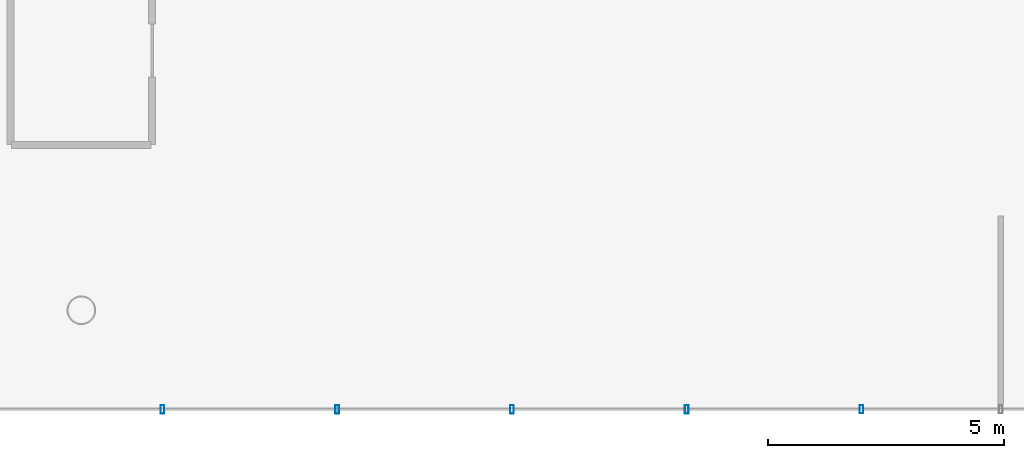
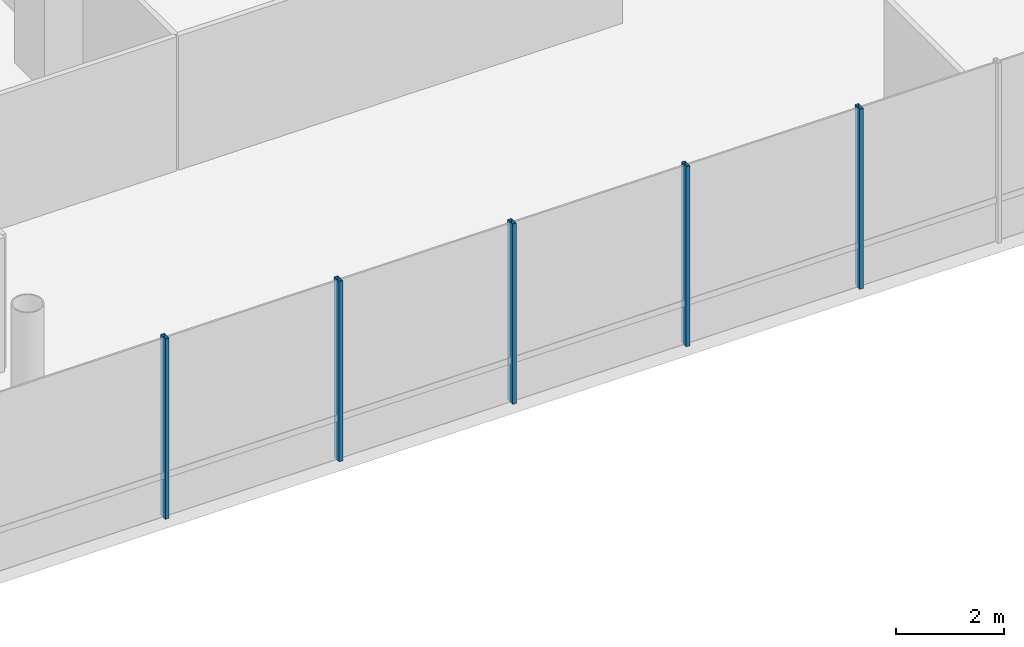
# One storey, part 6 of 33: 5 members, 1 element without a shape of its own.
"""IFC4 building model written with IfcOpenShell, lengths in metres."""

from ifc_helpers import new_model, si_unit, direction, frame, origin, origin_2d, place, context, subcontext, project, spatial, hollow_rectangle, extrude, material, layer, layer_set, material_profile, profile_set, type_object, element, aggregate, save


model = new_model("IFC4")

# Units and contexts
model_context = context("Model", 3, precision=1e-05, world=origin(), true_north=direction((0.0, 1.0)))
body_context = subcontext(model_context, "Body", "Model", "MODEL_VIEW")
ifc_project = project(units=[si_unit("LENGTHUNIT", "METRE"), si_unit("AREAUNIT", "SQUARE_METRE"), si_unit("VOLUMEUNIT", "CUBIC_METRE"), si_unit("PLANEANGLEUNIT", "RADIAN"), si_unit("MASSUNIT", "GRAM", prefix="KILO")], contexts=[model_context])

# Site, building, storey
site_placement = place(None, origin())
site = spatial("IfcSite", under=ifc_project, at=site_placement, CompositionType="ELEMENT")
building_placement = place(site_placement, origin())
building = spatial("IfcBuilding", under=site, at=building_placement, Name="Zarrinselat Tower", CompositionType="ELEMENT")
storey_placement = place(building_placement, frame((0.0, 0.0, 18.360107421875)))
storey = spatial("IfcBuildingStorey", under=building, at=storey_placement, Name="L04", CompositionType="ELEMENT", Elevation=18.360107421875)

# Curtain wall, members
ifc_material_1 = material(Name="Extruded Aluminium Alloy EN AW-6063 T6", Category="aluminium")
ifc_layer = layer(ifc_material_1, 0.2099609375)
ifc_layer_set = layer_set([ifc_layer], Name="Extruded Aluminium Alloy EN AW-6063 T6")
curtain_wall_type = type_object("IfcCurtainWallType", Name="CWS-POD", PredefinedType="NOTDEFINED", material=ifc_layer_set)
curtain_wall_placement = place(storey_placement, origin())
curtain_wall = element("IfcCurtainWall", 1, at=curtain_wall_placement, inside=storey, type_object=curtain_wall_type, Name="L04 Unitised Curtain Wall CW-L04-F1", PredefinedType="NOTDEFINED")
ifc_material_2 = material(Name="Extruded Aluminium Alloy EN AW-6063 T6", Category="aluminium")
ifc_material_profile = material_profile(ifc_material_2, hollow_rectangle(XDim=0.080078125, YDim=0.179931640625, WallThickness=0.0048828125, at=origin_2d()), Name="RHS 180x80x5")
ifc_profile_set = profile_set([ifc_material_profile], Name="Extruded Aluminium Alloy EN AW-6063 T6")
member_type = type_object("IfcMemberType", Name="MEM-CW-MUL", PredefinedType="MULLION", material=ifc_profile_set)
member_1_placement = place(storey_placement, frame((21.719970703125, 6.39990234375, 0.0), z_axis=(0.0, 0.0, 1.0), x_axis=(1.0, 0.0, 0.0)))
member_1 = element("IfcMember", 2, at=member_1_placement, type_object=member_type, Name="CW-L04-F1 Mullion 4", PredefinedType="MULLION", context=body_context, shape_type="SweptSolid", body=[
    extrude(hollow_rectangle(XDim=0.080078125, YDim=0.179931640625, WallThickness=0.0048828125, at=origin_2d()), origin(), (0.0, 0.0, 1.0), 4.06982421875),
])
member_2_placement = place(storey_placement, frame((25.4267578125, 6.39990234375, 0.0), z_axis=(0.0, 0.0, 1.0), x_axis=(1.0, 0.0, 0.0)))
member_2 = element("IfcMember", 3, at=member_2_placement, type_object=member_type, Name="CW-L04-F1 Mullion 5", PredefinedType="MULLION", context=body_context, shape_type="SweptSolid", body=[
    extrude(hollow_rectangle(XDim=0.080078125, YDim=0.179931640625, WallThickness=0.0048828125, at=origin_2d()), origin(), (0.0, 0.0, 1.0), 4.06982421875),
])
member_3_placement = place(storey_placement, frame((29.13330078125, 6.39990234375, 0.0), z_axis=(0.0, 0.0, 1.0), x_axis=(1.0, 0.0, 0.0)))
member_3 = element("IfcMember", 4, at=member_3_placement, type_object=member_type, Name="CW-L04-F1 Mullion 6", PredefinedType="MULLION", context=body_context, shape_type="SweptSolid", body=[
    extrude(hollow_rectangle(XDim=0.080078125, YDim=0.179931640625, WallThickness=0.0048828125, at=origin_2d()), origin(), (0.0, 0.0, 1.0), 4.06982421875),
])
member_4_placement = place(storey_placement, frame((32.840087890625, 6.39990234375, 0.0), z_axis=(0.0, 0.0, 1.0), x_axis=(1.0, 0.0, 0.0)))
member_4 = element("IfcMember", 5, at=member_4_placement, type_object=member_type, Name="CW-L04-F1 Mullion 7", PredefinedType="MULLION", context=body_context, shape_type="SweptSolid", body=[
    extrude(hollow_rectangle(XDim=0.080078125, YDim=0.179931640625, WallThickness=0.0048828125, at=origin_2d()), origin(), (0.0, 0.0, 1.0), 4.06982421875),
])
member_5_placement = place(storey_placement, frame((36.546630859375, 6.39990234375, 0.0), z_axis=(0.0, 0.0, 1.0), x_axis=(1.0, 0.0, 0.0)))
member_5 = element("IfcMember", 6, at=member_5_placement, type_object=member_type, Name="CW-L04-F1 Mullion 8", PredefinedType="MULLION", context=body_context, shape_type="SweptSolid", body=[
    extrude(hollow_rectangle(XDim=0.080078125, YDim=0.179931640625, WallThickness=0.0048828125, at=origin_2d()), origin(), (0.0, 0.0, 1.0), 4.06982421875),
])
aggregate(curtain_wall, [member_1, member_2, member_3, member_4, member_5])

save(model, "model.ifc")
